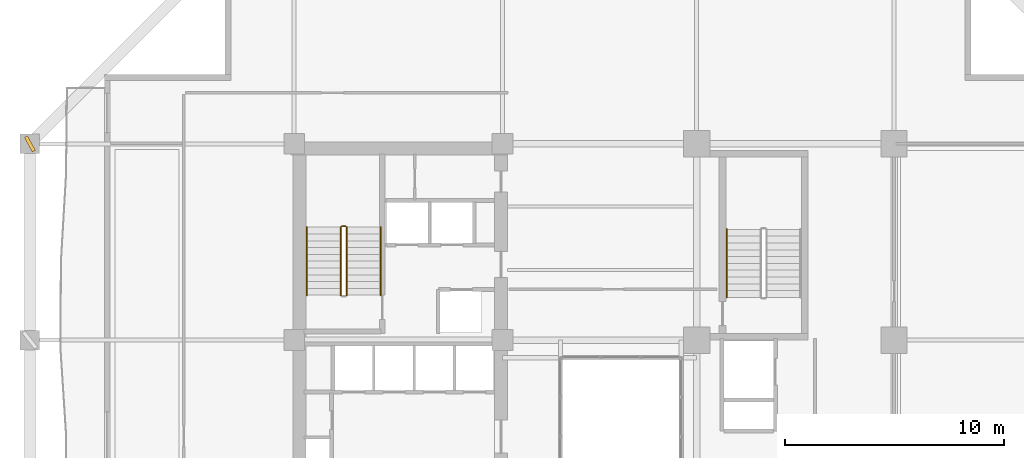
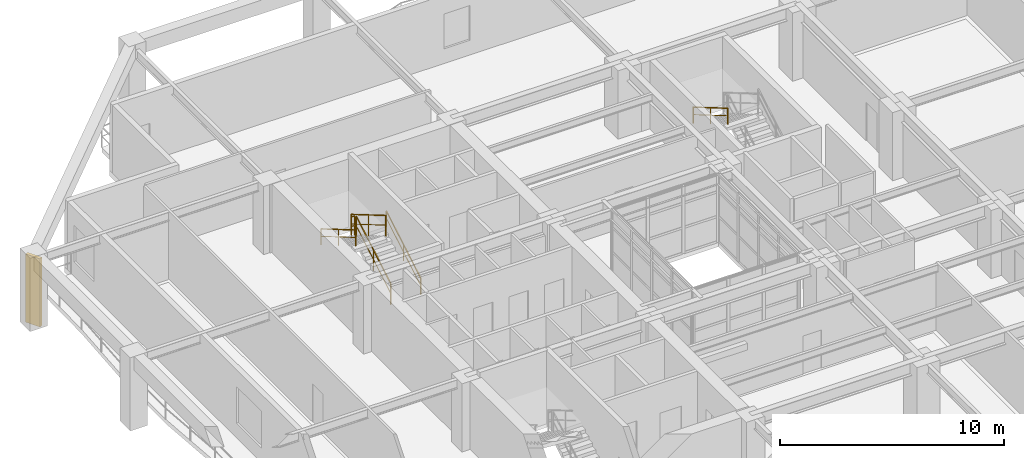
# One storey, part 14 of 17: 6 railings, 1 shading device.
"""IFC4 building model written with IfcOpenShell, lengths in metres."""

from ifc_helpers import new_model, si_unit, direction, frame, origin, origin_2d, place, context, subcontext, project, spatial, rectangle, extrude, material, type_object, element, save


model = new_model("IFC4")

# Units and contexts
model_context = context("Model", 3, precision=1e-05, world=origin(), true_north=direction((0.0, 1.0)))
body_context = subcontext(model_context, "Body", "Model", "MODEL_VIEW")
ifc_project = project(units=[si_unit("LENGTHUNIT", "METRE"), si_unit("AREAUNIT", "SQUARE_METRE"), si_unit("VOLUMEUNIT", "CUBIC_METRE"), si_unit("PLANEANGLEUNIT", "RADIAN"), si_unit("MASSUNIT", "GRAM", prefix="KILO")], contexts=[model_context])

# Site, building, storey
site_placement = place(None, origin())
site = spatial("IfcSite", under=ifc_project, at=site_placement, CompositionType="ELEMENT")
building_placement = place(site_placement, origin())
building = spatial("IfcBuilding", under=site, at=building_placement, Name="Kundavana Baori Tower", CompositionType="ELEMENT")
storey_placement = place(building_placement, frame((0.0, 0.0, 26.0)))
storey = spatial("IfcBuildingStorey", under=building, at=storey_placement, Name="L05", CompositionType="ELEMENT", Elevation=26.0)

# Railings
ifc_material_1 = material(Name="Architectural Patinated Bronze Metalwork")
railing_type_1 = type_object("IfcRailingType", Name="RL-GRD-1150", PredefinedType="GUARDRAIL", material=ifc_material_1)
railing_1_placement = place(storey_placement, frame((17.840087890625, 35.050048828125, 0.181884765625)))
element("IfcRailing", 1, at=railing_1_placement, inside=storey, type_object=railing_type_1, Name="L05 ST2 stair guard 1", PredefinedType="GUARDRAIL", context=body_context, shape_type="SweptSolid", body=[
    extrude(rectangle(XDim=0.048095703125, YDim=0.048095703125, at=origin_2d()), frame((0.0, 0.0, 1.1259765625), z_axis=(0.0, 0.86258143422, 0.50591824373), x_axis=(-1.0, 0.0, 0.0)), (0.0, 0.0, 1.0), 3.59375),
    extrude(rectangle(XDim=0.03125, YDim=0.03125, at=origin_2d()), frame((0.0, 0.0, 0.597900390625), z_axis=(0.0, 0.86258143422, 0.50591824373), x_axis=(-1.0, 0.0, 0.0)), (0.0, 0.0, 1.0), 3.59375),
    extrude(rectangle(XDim=0.0419921875, YDim=0.0419921875, at=origin_2d()), origin(), (0.0, 0.0, 1.0), 1.101806640625),
    extrude(rectangle(XDim=0.0419921875, YDim=0.0419921875, at=origin_2d()), frame((0.0, 1.5498046875, 0.9091796875)), (0.0, 0.0, 1.0), 1.101806640625),
    extrude(rectangle(XDim=0.0419921875, YDim=0.0419921875, at=origin_2d()), frame((0.0, 3.099853515625, 1.818115234375)), (0.0, 0.0, 1.0), 1.101806640625),
])
railing_2_placement = place(storey_placement, frame((17.7900390625, 38.199951171875, 2.0)))
element("IfcRailing", 2, at=railing_2_placement, inside=storey, type_object=railing_type_1, Name="L05 ST2 stair guard 2", PredefinedType="GUARDRAIL", context=body_context, shape_type="SweptSolid", body=[
    extrude(rectangle(XDim=0.048095703125, YDim=0.048095703125, at=origin_2d()), frame((0.0, 0.0, 1.1259765625), z_axis=(-1.0, 0.0, 0.0), x_axis=(0.0, -1.0, 0.0)), (0.0, 0.0, 1.0), 0.16015625),
    extrude(rectangle(XDim=0.03125, YDim=0.03125, at=origin_2d()), frame((0.0, 0.0, 0.597900390625), z_axis=(-1.0, 0.0, 0.0), x_axis=(0.0, -1.0, 0.0)), (0.0, 0.0, 1.0), 0.16015625),
    extrude(rectangle(XDim=0.0419921875, YDim=0.0419921875, at=origin_2d()), origin(), (0.0, 0.0, 1.0), 1.101806640625),
    extrude(rectangle(XDim=0.0419921875, YDim=0.0419921875, at=origin_2d()), frame((-0.16015625, 0.0, 0.0)), (0.0, 0.0, 1.0), 1.101806640625),
])
railing_3_placement = place(storey_placement, frame((17.580078125, 38.14990234375, 2.181884765625)))
element("IfcRailing", 3, at=railing_3_placement, inside=storey, type_object=railing_type_1, Name="L05 ST2 stair guard 3", PredefinedType="GUARDRAIL", context=body_context, shape_type="SweptSolid", body=[
    extrude(rectangle(XDim=0.048095703125, YDim=0.048095703125, at=origin_2d()), frame((0.0, 0.0, 1.1259765625), z_axis=(0.0, -0.86258143422, 0.50591824373), x_axis=(1.0, 0.0, 0.0)), (0.0, 0.0, 1.0), 3.59375),
    extrude(rectangle(XDim=0.03125, YDim=0.03125, at=origin_2d()), frame((0.0, 0.0, 0.597900390625), z_axis=(0.0, -0.86258143422, 0.50591824373), x_axis=(1.0, 0.0, 0.0)), (0.0, 0.0, 1.0), 3.59375),
    extrude(rectangle(XDim=0.0419921875, YDim=0.0419921875, at=origin_2d()), origin(), (0.0, 0.0, 1.0), 1.101806640625),
    extrude(rectangle(XDim=0.0419921875, YDim=0.0419921875, at=origin_2d()), frame((0.0, -1.5498046875, 0.9091796875)), (0.0, 0.0, 1.0), 1.101806640625),
    extrude(rectangle(XDim=0.0419921875, YDim=0.0419921875, at=origin_2d()), frame((0.0, -3.099853515625, 1.818115234375)), (0.0, 0.0, 1.0), 1.101806640625),
])
ifc_material_2 = material(Name="Architectural Patinated Bronze Metalwork")
railing_type_2 = type_object("IfcRailingType", Name="RL-HND-920", PredefinedType="HANDRAIL", material=ifc_material_2)
railing_4_placement = place(storey_placement, frame((19.389892578125, 35.050048828125, 0.181884765625)))
element("IfcRailing", 4, at=railing_4_placement, inside=storey, type_object=railing_type_2, Name="L05 ST2 stair handrail 1", PredefinedType="HANDRAIL", context=body_context, shape_type="SweptSolid", body=[
    extrude(rectangle(XDim=0.048095703125, YDim=0.048095703125, at=origin_2d()), frame((0.0, 0.0, 0.8759765625), z_axis=(0.0, 0.86258143422, 0.50591824373), x_axis=(-1.0, 0.0, 0.0)), (0.0, 0.0, 1.0), 3.59375),
    extrude(rectangle(XDim=0.03125, YDim=0.03125, at=origin_2d()), frame((0.0, 0.0, 0.468017578125), z_axis=(0.0, 0.86258143422, 0.50591824373), x_axis=(-1.0, 0.0, 0.0)), (0.0, 0.0, 1.0), 3.59375),
    extrude(rectangle(XDim=0.0419921875, YDim=0.0419921875, at=origin_2d()), origin(), (0.0, 0.0, 1.0), 0.851806640625),
    extrude(rectangle(XDim=0.0419921875, YDim=0.0419921875, at=origin_2d()), frame((0.0, 1.5498046875, 0.9091796875)), (0.0, 0.0, 1.0), 0.851806640625),
    extrude(rectangle(XDim=0.0419921875, YDim=0.0419921875, at=origin_2d()), frame((0.0, 3.099853515625, 1.818115234375)), (0.0, 0.0, 1.0), 0.851806640625),
])
railing_5_placement = place(storey_placement, frame((16.030029296875, 38.14990234375, 2.181884765625)))
element("IfcRailing", 5, at=railing_5_placement, inside=storey, type_object=railing_type_2, Name="L05 ST2 stair handrail 2", PredefinedType="HANDRAIL", context=body_context, shape_type="SweptSolid", body=[
    extrude(rectangle(XDim=0.048095703125, YDim=0.048095703125, at=origin_2d()), frame((0.0, 0.0, 0.8759765625), z_axis=(0.0, -0.86258143422, 0.50591824373), x_axis=(1.0, 0.0, 0.0)), (0.0, 0.0, 1.0), 3.59375),
    extrude(rectangle(XDim=0.03125, YDim=0.03125, at=origin_2d()), frame((0.0, 0.0, 0.468017578125), z_axis=(0.0, -0.86258143422, 0.50591824373), x_axis=(1.0, 0.0, 0.0)), (0.0, 0.0, 1.0), 3.59375),
    extrude(rectangle(XDim=0.0419921875, YDim=0.0419921875, at=origin_2d()), origin(), (0.0, 0.0, 1.0), 0.851806640625),
    extrude(rectangle(XDim=0.0419921875, YDim=0.0419921875, at=origin_2d()), frame((0.0, -1.5498046875, 0.9091796875)), (0.0, 0.0, 1.0), 0.851806640625),
    extrude(rectangle(XDim=0.0419921875, YDim=0.0419921875, at=origin_2d()), frame((0.0, -3.099853515625, 1.818115234375)), (0.0, 0.0, 1.0), 0.851806640625),
])
railing_6_placement = place(storey_placement, frame((35.169921875, 38.050048828125, 2.181884765625)))
element("IfcRailing", 6, at=railing_6_placement, inside=storey, type_object=railing_type_2, Name="L05 ST3 stair handrail 2", PredefinedType="HANDRAIL", context=body_context, shape_type="SweptSolid", body=[
    extrude(rectangle(XDim=0.048095703125, YDim=0.048095703125, at=origin_2d()), frame((0.0, 0.0, 0.8759765625), z_axis=(0.0, -0.862598821094, 0.505888598258), x_axis=(1.0, 0.0, 0.0)), (0.0, 0.0, 1.0), 3.593994140625),
    extrude(rectangle(XDim=0.03125, YDim=0.03125, at=origin_2d()), frame((0.0, 0.0, 0.468017578125), z_axis=(0.0, -0.862598821094, 0.505888598258), x_axis=(1.0, 0.0, 0.0)), (0.0, 0.0, 1.0), 3.593994140625),
    extrude(rectangle(XDim=0.0419921875, YDim=0.0419921875, at=origin_2d()), origin(), (0.0, 0.0, 1.0), 0.851806640625),
    extrude(rectangle(XDim=0.0419921875, YDim=0.0419921875, at=origin_2d()), frame((0.0, -1.550048828125, 0.9091796875)), (0.0, 0.0, 1.0), 0.851806640625),
    extrude(rectangle(XDim=0.0419921875, YDim=0.0419921875, at=origin_2d()), frame((0.0, -3.10009765625, 1.818115234375)), (0.0, 0.0, 1.0), 0.851806640625),
])

# Shading device
ifc_material_3 = material(Name="Red-Buff Dholpur Sandstone Cladding on Concrete C40/50", Category="masonry")
shading_device_type = type_object("IfcShadingDeviceType", Name="SHD-FIN-750", PredefinedType="JALOUSIE", material=ifc_material_3)
shading_device_placement = place(storey_placement, frame((3.39990234375, 41.949951171875, 0.0), z_axis=(0.0, 0.0, 1.0), x_axis=(0.876306680044, 0.481753674102, 0.0)))
element("IfcShadingDevice", 7, at=shading_device_placement, inside=storey, type_object=shading_device_type, Name="L05 Sweeping Dholpur Sandstone Facade Fin 8", PredefinedType="JALOUSIE", context=body_context, shape_type="SweptSolid", body=[
    extrude(rectangle(XDim=0.159912109375, YDim=0.75, at=origin_2d()), origin(), (0.0, 0.0, 1.0), 3.719970703125),
])

save(model, "model.ifc")
